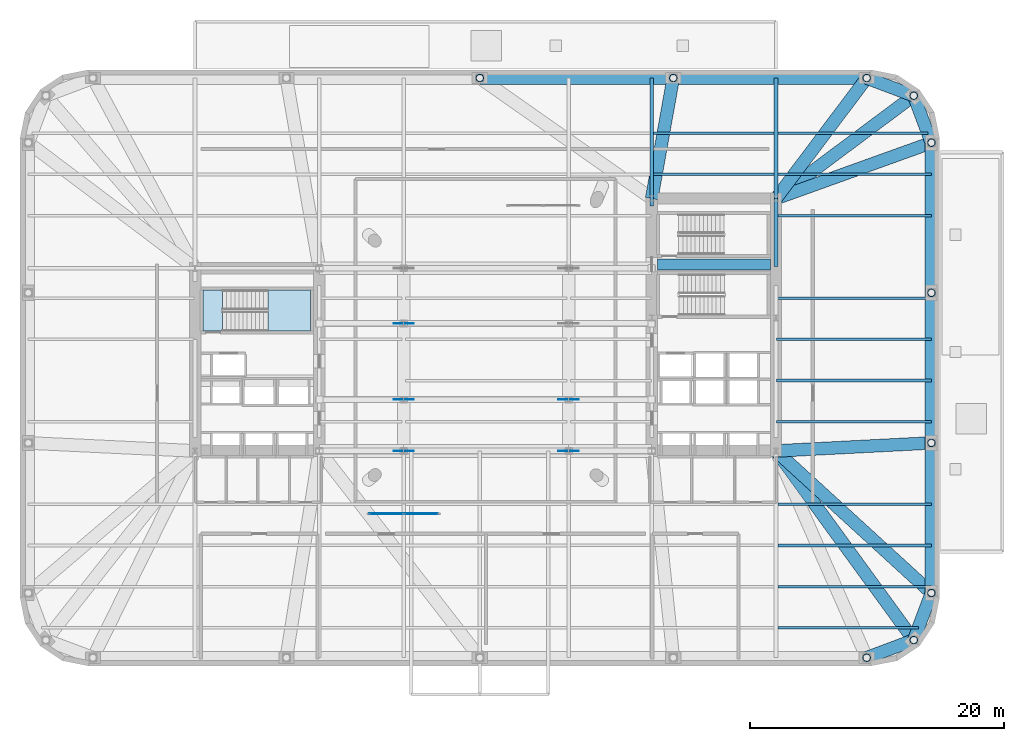
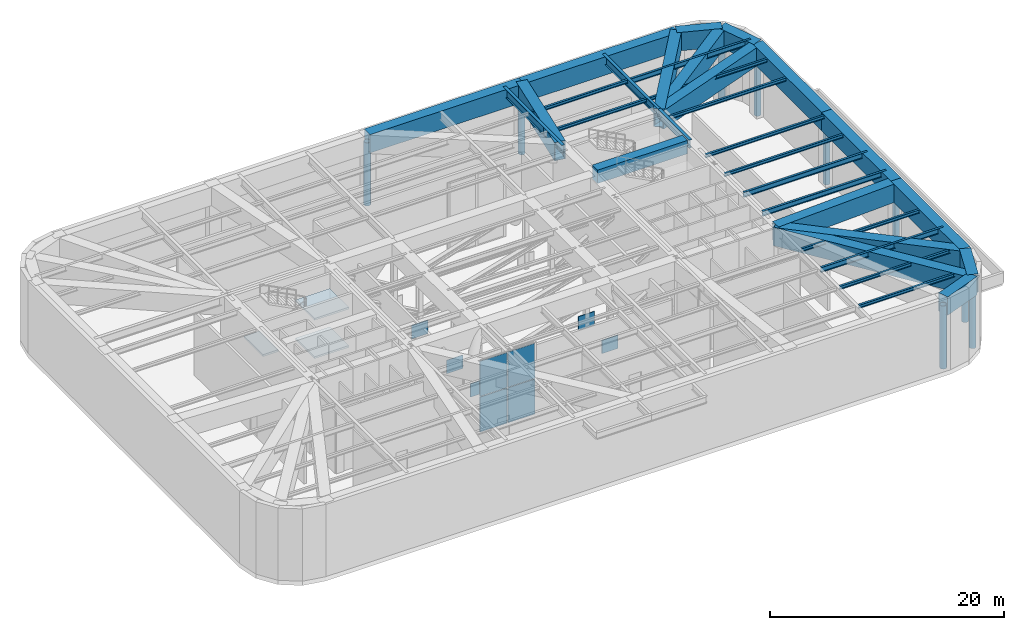
# One storey, part 6 of 15: 33 beams, 10 members, 9 plates, 3 slabs, 2 elements without a shape of their own.
"""IFC4 building model written with IfcOpenShell, lengths in metres."""

from ifc_helpers import new_model, si_unit, direction, frame, origin, origin_2d, place, context, subcontext, project, spatial, polyline, rectangle, hollow_rectangle, hollow_circle, i_section, outline, extrude, material, layer, layer_set, material_profile, profile_set, type_object, element, aggregate, save


model = new_model("IFC4")

# Units and contexts
model_context = context("Model", 3, precision=1e-05, world=origin(), true_north=direction((0.0, 1.0)))
body_context = subcontext(model_context, "Body", "Model", "MODEL_VIEW")
ifc_project = project(units=[si_unit("LENGTHUNIT", "METRE"), si_unit("AREAUNIT", "SQUARE_METRE"), si_unit("VOLUMEUNIT", "CUBIC_METRE"), si_unit("PLANEANGLEUNIT", "RADIAN"), si_unit("MASSUNIT", "GRAM", prefix="KILO")], contexts=[model_context])

# Site, building, storey
site_placement = place(None, origin())
site = spatial("IfcSite", under=ifc_project, at=site_placement, CompositionType="ELEMENT")
building_placement = place(site_placement, origin())
building = spatial("IfcBuilding", under=site, at=building_placement, Name="Kolvaren Arena Tower", CompositionType="ELEMENT")
storey_placement = place(building_placement, frame((0.0, 0.0, 34.0)))
storey = spatial("IfcBuildingStorey", under=building, at=storey_placement, Name="L06", CompositionType="ELEMENT", Elevation=34.0)

# Beams
ifc_material_1 = material(Name="Steel CSA G40.21 350W", Category="steel")
ifc_material_profile_1 = material_profile(ifc_material_1, i_section(OverallWidth=0.2119140625, OverallDepth=0.54296875, WebThickness=0.01318359375, FlangeThickness=0.0244140625, FilletRadius=0.013916015625, at=origin_2d()), Name="W530x150")
ifc_profile_set_1 = profile_set([ifc_material_profile_1], Name="Steel CSA G40.21 350W")
beam_type_1 = type_object("IfcBeamType", Name="BEAM-F1", PredefinedType="BEAM", material=ifc_profile_set_1)
beam_1_placement = place(storey_placement, frame((60.49609375, 12.0, 7.278564453125), z_axis=(1.0, 0.0, 0.0), x_axis=(0.0, 1.0, 0.0)))
element("IfcBeam", 1, at=beam_1_placement, inside=storey, type_object=beam_type_1, Name="Composite Floor Beam (L06)", PredefinedType="BEAM", context=body_context, shape_type="SweptSolid", body=[
    extrude(i_section(OverallWidth=0.2119140625, OverallDepth=0.54296875, WebThickness=0.01318359375, FlangeThickness=0.0244140625, FilletRadius=0.013916015625, at=origin_2d()), origin(), (0.0, 0.0, 1.0), 12.10400390625),
])
for number, where, z_axis, x_axis, name in (
    (2, (60.3701171875, 21.75, 7.278564453125), (1.0, 0.0, 0.0), (0.0, 1.0, 0.0), "Composite Floor Beam (L06)"),
    (3, (60.3701171875, 25.0, 7.278564453125), (1.0, 0.0, 0.0), (0.0, 1.0, 0.0), "Composite Floor Beam (L06)"),
):
    element("IfcBeam", number, at=place(storey_placement, frame(where, z_axis=z_axis, x_axis=x_axis)), inside=storey, type_object=beam_type_1, Name=name, PredefinedType="BEAM", context=body_context, shape_type="SweptSolid", body=[
        extrude(i_section(OverallWidth=0.2119140625, OverallDepth=0.54296875, WebThickness=0.01318359375, FlangeThickness=0.0244140625, FilletRadius=0.013916015625, at=origin_2d()), origin(), (0.0, 0.0, 1.0), 12.22998046875),
    ])
beam_2_placement = place(storey_placement, frame((60.49609375, 44.5, 7.278564453125), z_axis=(1.0, 0.0, 0.0), x_axis=(0.0, 1.0, 0.0)))
element("IfcBeam", 4, at=beam_2_placement, inside=storey, type_object=beam_type_1, Name="Composite Floor Beam (L06)", PredefinedType="BEAM", context=body_context, shape_type="SweptSolid", body=[
    extrude(i_section(OverallWidth=0.2119140625, OverallDepth=0.54296875, WebThickness=0.01318359375, FlangeThickness=0.0244140625, FilletRadius=0.013916015625, at=origin_2d()), origin(), (0.0, 0.0, 1.0), 11.822509765625),
])
ifc_material_2 = material(Name="Concrete 75 MPa", Category="concrete")
ifc_material_profile_2 = material_profile(ifc_material_2, rectangle(XDim=0.89990234375, YDim=1.39990234375, at=origin_2d()), Name="RC-900x1400")
ifc_profile_set_2 = profile_set([ifc_material_profile_2], Name="Concrete 75 MPa")
beam_type_2 = type_object("IfcBeamType", Name="CB-CORE-1", PredefinedType="BEAM", material=ifc_profile_set_2)
beam_3_placement = place(storey_placement, frame((51.0, 34.14990234375, 7.1201171875), z_axis=(1.0, 0.0, 0.0), x_axis=(0.0, 1.0, 0.0)))
element("IfcBeam", 5, at=beam_3_placement, inside=storey, type_object=beam_type_2, Name="East Core Coupling Beam (L06)", PredefinedType="BEAM", context=body_context, shape_type="SweptSolid", body=[
    extrude(rectangle(XDim=0.89990234375, YDim=1.39990234375, at=origin_2d()), origin(), (0.0, 0.0, 1.0), 8.89990234375),
])

# Members
ifc_material_3 = material(Name="Steel CSA G40.21 350WT", Category="steel")
ifc_material_profile_3 = material_profile(ifc_material_3, hollow_circle(Radius=0.304931640625, WallThickness=0.028076171875, at=origin_2d()), Name="CHS 610x28")
ifc_profile_set_3 = profile_set([ifc_material_profile_3], Name="Steel CSA G40.21 350WT")
member_type = type_object("IfcMemberType", Name="EXO-STRUT1", PredefinedType="STRUT", material=ifc_profile_set_3)
for number, where, z_axis, x_axis, name in (
    (6, (67.5, 3.14990234375, 0.0), (0.0, 0.0, 1.0), (1.0, 0.0, 0.0), "B1 Transfer Exoskeleton Strut 05"),
    (7, (71.208740234375, 4.541259765625, 0.0), (0.0, 0.0, 1.0), (1.0, 0.0, 0.0), "B1 Transfer Exoskeleton Strut 06"),
    (8, (72.60009765625, 8.25, 0.0), (0.0, 0.0, 1.0), (1.0, 0.0, 0.0), "B1 Transfer Exoskeleton Strut 07"),
    (9, (72.60009765625, 20.083251953125, 0.0), (0.0, 0.0, 1.0), (1.0, 0.0, 0.0), "B1 Transfer Exoskeleton Strut 08"),
    (10, (72.60009765625, 31.916748046875, 0.0), (0.0, 0.0, 1.0), (1.0, 0.0, 0.0), "B1 Transfer Exoskeleton Strut 09"),
    (11, (72.60009765625, 43.75, 0.0), (0.0, 0.0, 1.0), (1.0, 0.0, 0.0), "B1 Transfer Exoskeleton Strut 10"),
    (12, (71.208740234375, 47.458740234375, 0.0), (0.0, 0.0, 1.0), (1.0, 0.0, 0.0), "B1 Transfer Exoskeleton Strut 11"),
    (13, (67.5, 48.85009765625, 0.0), (0.0, 0.0, 1.0), (1.0, 0.0, 0.0), "B1 Transfer Exoskeleton Strut 12"),
    (14, (52.25, 48.85009765625, 0.0), (0.0, 0.0, 1.0), (1.0, 0.0, 0.0), "B1 Transfer Exoskeleton Strut 13"),
    (15, (37.0, 48.85009765625, 0.0), (0.0, 0.0, 1.0), (1.0, 0.0, 0.0), "B1 Transfer Exoskeleton Strut 14"),
):
    element("IfcMember", number, at=place(storey_placement, frame(where, z_axis=z_axis, x_axis=x_axis)), inside=storey, type_object=member_type, Name=name, PredefinedType="STRUT", context=body_context, shape_type="SweptSolid", body=[
        extrude(hollow_circle(Radius=0.304931640625, WallThickness=0.028076171875, at=origin_2d()), origin(), (0.0, 0.0, 1.0), 6.590087890625),
    ])

# Beams
ifc_material_profile_4 = material_profile(ifc_material_1, i_section(OverallWidth=0.2919921875, OverallDepth=0.85498046875, WebThickness=0.02099609375, FlangeThickness=0.03564453125, FilletRadius=0.01806640625, at=origin_2d()), Name="W840x299")
ifc_profile_set_4 = profile_set([ifc_material_profile_4], Name="Steel CSA G40.21 350W")
beam_type_3 = type_object("IfcBeamType", Name="GIRD-P1", PredefinedType="BEAM", material=ifc_profile_set_4)
beam_4_placement = place(storey_placement, frame((50.550048828125, 38.760009765625, 7.12255859375), z_axis=(0.0, 1.0, 0.0), x_axis=(-1.0, 0.0, 0.0)))
element("IfcBeam", 16, at=beam_4_placement, inside=storey, type_object=beam_type_3, Name="Primary Floor Girder (L06)", PredefinedType="BEAM", context=body_context, shape_type="SweptSolid", body=[
    extrude(i_section(OverallWidth=0.2919921875, OverallDepth=0.85498046875, WebThickness=0.02099609375, FlangeThickness=0.03564453125, FilletRadius=0.01806640625, at=origin_2d()), origin(), (0.0, 0.0, 1.0), 10.090087890625),
])
beam_5_placement = place(storey_placement, frame((60.35009765625, 33.99609375, 7.12255859375), z_axis=(0.0, 1.0, 0.0), x_axis=(-1.0, 0.0, 0.0)))
element("IfcBeam", 17, at=beam_5_placement, inside=storey, type_object=beam_type_3, Name="Primary Floor Girder (L06)", PredefinedType="BEAM", context=body_context, shape_type="SweptSolid", body=[
    extrude(i_section(OverallWidth=0.2919921875, OverallDepth=0.85498046875, WebThickness=0.02099609375, FlangeThickness=0.03564453125, FilletRadius=0.01806640625, at=origin_2d()), origin(), (0.0, 0.0, 1.0), 5.35400390625),
])
beam_6_placement = place(storey_placement, frame((60.35009765625, 39.35009765625, 7.12255859375), z_axis=(0.0, 1.0, 0.0), x_axis=(-1.0, 0.0, 0.0)))
element("IfcBeam", 18, at=beam_6_placement, inside=storey, type_object=beam_type_3, Name="Primary Floor Girder (L06)", PredefinedType="BEAM", context=body_context, shape_type="SweptSolid", body=[
    extrude(i_section(OverallWidth=0.2919921875, OverallDepth=0.85498046875, WebThickness=0.02099609375, FlangeThickness=0.03564453125, FilletRadius=0.01806640625, at=origin_2d()), origin(), (0.0, 0.0, 1.0), 9.5),
])
ifc_material_profile_5 = material_profile(ifc_material_1, i_section(OverallWidth=0.202880859375, OverallDepth=0.346923828125, WebThickness=0.0078125, FlangeThickness=0.013427734375, FilletRadius=0.010986328125, at=origin_2d()), Name="W360x64")
ifc_profile_set_5 = profile_set([ifc_material_profile_5], Name="Steel CSA G40.21 350W")
beam_type_4 = type_object("IfcBeamType", Name="JOIST-01", PredefinedType="JOIST", material=ifc_profile_set_5)
beam_7_placement = place(storey_placement, frame((60.49609375, 5.5, 7.37646484375), z_axis=(1.0, 0.0, 0.0), x_axis=(0.0, 1.0, 0.0)))
element("IfcBeam", 19, at=beam_7_placement, inside=storey, type_object=beam_type_4, Name="Composite Floor Joist (L06)", PredefinedType="JOIST", context=body_context, shape_type="SweptSolid", body=[
    extrude(i_section(OverallWidth=0.202880859375, OverallDepth=0.346923828125, WebThickness=0.0078125, FlangeThickness=0.013427734375, FilletRadius=0.010986328125, at=origin_2d()), origin(), (0.0, 0.0, 1.0), 11.072509765625),
])
for number, where, z_axis, x_axis, name in (
    (20, (60.49609375, 8.75, 7.37646484375), (1.0, 0.0, 0.0), (0.0, 1.0, 0.0), "Composite Floor Joist (L06)"),
    (21, (60.49609375, 15.25, 7.37646484375), (1.0, 0.0, 0.0), (0.0, 1.0, 0.0), "Composite Floor Joist (L06)"),
):
    element("IfcBeam", number, at=place(storey_placement, frame(where, z_axis=z_axis, x_axis=x_axis)), inside=storey, type_object=beam_type_4, Name=name, PredefinedType="JOIST", context=body_context, shape_type="SweptSolid", body=[
        extrude(i_section(OverallWidth=0.202880859375, OverallDepth=0.346923828125, WebThickness=0.0078125, FlangeThickness=0.013427734375, FilletRadius=0.010986328125, at=origin_2d()), origin(), (0.0, 0.0, 1.0), 12.10400390625),
    ])
for number, where, z_axis, x_axis, name in (
    (22, (60.3701171875, 28.25, 7.37646484375), (1.0, 0.0, 0.0), (0.0, 1.0, 0.0), "Composite Floor Joist (L06)"),
    (23, (60.3701171875, 31.5, 7.37646484375), (1.0, 0.0, 0.0), (0.0, 1.0, 0.0), "Composite Floor Joist (L06)"),
    (24, (60.3701171875, 38.0, 7.37646484375), (1.0, 0.0, 0.0), (0.0, 1.0, 0.0), "Composite Floor Joist (L06)"),
):
    element("IfcBeam", number, at=place(storey_placement, frame(where, z_axis=z_axis, x_axis=x_axis)), inside=storey, type_object=beam_type_4, Name=name, PredefinedType="JOIST", context=body_context, shape_type="SweptSolid", body=[
        extrude(i_section(OverallWidth=0.202880859375, OverallDepth=0.346923828125, WebThickness=0.0078125, FlangeThickness=0.013427734375, FilletRadius=0.010986328125, at=origin_2d()), origin(), (0.0, 0.0, 1.0), 12.22998046875),
    ])
beam_8_placement = place(storey_placement, frame((50.696044921875, 41.25, 7.37646484375), z_axis=(1.0, 0.0, 0.0), x_axis=(0.0, 1.0, 0.0)))
element("IfcBeam", 25, at=beam_8_placement, inside=storey, type_object=beam_type_4, Name="Composite Floor Joist (L06)", PredefinedType="JOIST", context=body_context, shape_type="SweptSolid", body=[
    extrude(i_section(OverallWidth=0.202880859375, OverallDepth=0.346923828125, WebThickness=0.0078125, FlangeThickness=0.013427734375, FilletRadius=0.010986328125, at=origin_2d()), origin(), (0.0, 0.0, 1.0), 9.508056640625),
])
beam_9_placement = place(storey_placement, frame((60.49609375, 41.25, 7.37646484375), z_axis=(1.0, 0.0, 0.0), x_axis=(0.0, 1.0, 0.0)))
element("IfcBeam", 26, at=beam_9_placement, inside=storey, type_object=beam_type_4, Name="Composite Floor Joist (L06)", PredefinedType="JOIST", context=body_context, shape_type="SweptSolid", body=[
    extrude(i_section(OverallWidth=0.202880859375, OverallDepth=0.346923828125, WebThickness=0.0078125, FlangeThickness=0.013427734375, FilletRadius=0.010986328125, at=origin_2d()), origin(), (0.0, 0.0, 1.0), 12.10400390625),
])
beam_10_placement = place(storey_placement, frame((50.696044921875, 44.5, 7.37646484375), z_axis=(1.0, 0.0, 0.0), x_axis=(0.0, 1.0, 0.0)))
element("IfcBeam", 27, at=beam_10_placement, inside=storey, type_object=beam_type_4, Name="Composite Floor Joist (L06)", PredefinedType="JOIST", context=body_context, shape_type="SweptSolid", body=[
    extrude(i_section(OverallWidth=0.202880859375, OverallDepth=0.346923828125, WebThickness=0.0078125, FlangeThickness=0.013427734375, FilletRadius=0.010986328125, at=origin_2d()), origin(), (0.0, 0.0, 1.0), 9.508056640625),
])
ifc_material_profile_6 = material_profile(ifc_material_3, hollow_rectangle(XDim=1.0, YDim=1.919921875, WallThickness=0.044921875, at=origin_2d()), Name="BOX 1000x1920x45")
ifc_profile_set_6 = profile_set([ifc_material_profile_6], Name="Steel CSA G40.21 350WT")
beam_type_5 = type_object("IfcBeamType", Name="TG-MEGA", PredefinedType="USERDEFINED", material=ifc_profile_set_6)
for number, where, z_axis, x_axis, name in (
    (28, (67.5, 3.14990234375, 6.590087890625), (0.93628104365, 0.351251771955, 0.0), (-0.351251771955, 0.93628104365, 0.0), "B1 Perimeter Transfer Ring Girder 05"),
    (29, (71.208740234375, 4.541259765625, 6.590087890625), (0.351251771955, 0.93628104365, 0.0), (-0.93628104365, 0.351251771955, 0.0), "B1 Perimeter Transfer Ring Girder 06"),
):
    element("IfcBeam", number, at=place(storey_placement, frame(where, z_axis=z_axis, x_axis=x_axis)), inside=storey, type_object=beam_type_5, Name=name, ObjectType="TRANSFER GIRDER", PredefinedType="USERDEFINED", context=body_context, shape_type="SweptSolid", body=[
        extrude(hollow_rectangle(XDim=1.0, YDim=1.919921875, WallThickness=0.044921875, at=origin_2d()), origin(), (0.0, 0.0, 1.0), 3.961181640625),
    ])
beam_11_placement = place(storey_placement, frame((71.208740234375, 4.541259765625, 6.590087890625), z_axis=(-0.588737448901, 0.80832432616, 0.0), x_axis=(-0.80832432616, -0.588737448901, 0.0)))
element("IfcBeam", 30, at=beam_11_placement, inside=storey, type_object=beam_type_5, Name="B1 Cantilever Radial Transfer Girder 06", ObjectType="TRANSFER GIRDER", PredefinedType="USERDEFINED", context=body_context, shape_type="SweptSolid", body=[
    extrude(hollow_rectangle(XDim=1.0, YDim=1.919921875, WallThickness=0.044921875, at=origin_2d()), origin(), (0.0, 0.0, 1.0), 18.44384765625),
])
beam_12_placement = place(storey_placement, frame((72.60009765625, 8.25, 6.590087890625), z_axis=(0.0, 1.0, 0.0), x_axis=(-1.0, 0.0, 0.0)))
element("IfcBeam", 31, at=beam_12_placement, inside=storey, type_object=beam_type_5, Name="B1 Perimeter Transfer Ring Girder 07", ObjectType="TRANSFER GIRDER", PredefinedType="USERDEFINED", context=body_context, shape_type="SweptSolid", body=[
    extrude(hollow_rectangle(XDim=1.0, YDim=1.919921875, WallThickness=0.044921875, at=origin_2d()), origin(), (0.0, 0.0, 1.0), 11.833251953125),
])
beam_13_placement = place(storey_placement, frame((72.60009765625, 8.25, 6.590087890625), z_axis=(-0.738030276997, 0.674767597203, 0.0), x_axis=(-0.674767597203, -0.738030276997, 0.0)))
element("IfcBeam", 32, at=beam_13_placement, inside=storey, type_object=beam_type_5, Name="B1 Cantilever Radial Transfer Girder 07", ObjectType="TRANSFER GIRDER", PredefinedType="USERDEFINED", context=body_context, shape_type="SweptSolid", body=[
    extrude(hollow_rectangle(XDim=1.0, YDim=1.919921875, WallThickness=0.044921875, at=origin_2d()), origin(), (0.0, 0.0, 1.0), 16.59814453125),
])
beam_14_placement = place(storey_placement, frame((72.60009765625, 20.083251953125, 6.590087890625), z_axis=(0.0, 1.0, 0.0), x_axis=(-1.0, 0.0, 0.0)))
element("IfcBeam", 33, at=beam_14_placement, inside=storey, type_object=beam_type_5, Name="B1 Perimeter Transfer Ring Girder 08", ObjectType="TRANSFER GIRDER", PredefinedType="USERDEFINED", context=body_context, shape_type="SweptSolid", body=[
    extrude(hollow_rectangle(XDim=1.0, YDim=1.919921875, WallThickness=0.044921875, at=origin_2d()), origin(), (0.0, 0.0, 1.0), 11.83349609375),
])
beam_15_placement = place(storey_placement, frame((72.60009765625, 20.083251953125, 6.590087890625), z_axis=(-0.998666329977, -0.051629074856, 0.0), x_axis=(0.051629074856, -0.998666329977, 0.0)))
element("IfcBeam", 34, at=beam_15_placement, inside=storey, type_object=beam_type_5, Name="B1 Cantilever Radial Transfer Girder 08", ObjectType="TRANSFER GIRDER", PredefinedType="USERDEFINED", context=body_context, shape_type="SweptSolid", body=[
    extrude(hollow_rectangle(XDim=1.0, YDim=1.919921875, WallThickness=0.044921875, at=origin_2d()), origin(), (0.0, 0.0, 1.0), 12.266357421875),
])
beam_16_placement = place(storey_placement, frame((72.60009765625, 31.916748046875, 6.590087890625), z_axis=(0.0, 1.0, 0.0), x_axis=(-1.0, 0.0, 0.0)))
element("IfcBeam", 35, at=beam_16_placement, inside=storey, type_object=beam_type_5, Name="B1 Perimeter Transfer Ring Girder 09", ObjectType="TRANSFER GIRDER", PredefinedType="USERDEFINED", context=body_context, shape_type="SweptSolid", body=[
    extrude(hollow_rectangle(XDim=1.0, YDim=1.919921875, WallThickness=0.044921875, at=origin_2d()), origin(), (0.0, 0.0, 1.0), 11.833251953125),
])
beam_17_placement = place(storey_placement, frame((72.60009765625, 43.75, 6.590087890625), z_axis=(-0.351251771955, 0.93628104365, 0.0), x_axis=(-0.93628104365, -0.351251771955, 0.0)))
element("IfcBeam", 36, at=beam_17_placement, inside=storey, type_object=beam_type_5, Name="B1 Perimeter Transfer Ring Girder 10", ObjectType="TRANSFER GIRDER", PredefinedType="USERDEFINED", context=body_context, shape_type="SweptSolid", body=[
    extrude(hollow_rectangle(XDim=1.0, YDim=1.919921875, WallThickness=0.044921875, at=origin_2d()), origin(), (0.0, 0.0, 1.0), 3.961181640625),
])
beam_18_placement = place(storey_placement, frame((72.60009765625, 43.75, 6.590087890625), z_axis=(-0.941134398506, -0.338032607818, 0.0), x_axis=(0.338032607818, -0.941134398506, 0.0)))
element("IfcBeam", 37, at=beam_18_placement, inside=storey, type_object=beam_type_5, Name="B1 Cantilever Radial Transfer Girder 10", ObjectType="TRANSFER GIRDER", PredefinedType="USERDEFINED", context=body_context, shape_type="SweptSolid", body=[
    extrude(hollow_rectangle(XDim=1.0, YDim=1.919921875, WallThickness=0.044921875, at=origin_2d()), origin(), (0.0, 0.0, 1.0), 13.01611328125),
])
beam_19_placement = place(storey_placement, frame((71.208740234375, 47.458740234375, 6.590087890625), z_axis=(-0.93628104365, 0.351251771955, 0.0), x_axis=(-0.351251771955, -0.93628104365, 0.0)))
element("IfcBeam", 38, at=beam_19_placement, inside=storey, type_object=beam_type_5, Name="B1 Perimeter Transfer Ring Girder 11", ObjectType="TRANSFER GIRDER", PredefinedType="USERDEFINED", context=body_context, shape_type="SweptSolid", body=[
    extrude(hollow_rectangle(XDim=1.0, YDim=1.919921875, WallThickness=0.044921875, at=origin_2d()), origin(), (0.0, 0.0, 1.0), 3.961181640625),
])
beam_20_placement = place(storey_placement, frame((71.208740234375, 47.458740234375, 6.590087890625), z_axis=(-0.801249936397, -0.598329791523, 0.0), x_axis=(0.598329791523, -0.801249936397, 0.0)))
element("IfcBeam", 39, at=beam_20_placement, inside=storey, type_object=beam_type_5, Name="B1 Cantilever Radial Transfer Girder 11", ObjectType="TRANSFER GIRDER", PredefinedType="USERDEFINED", context=body_context, shape_type="SweptSolid", body=[
    extrude(hollow_rectangle(XDim=1.0, YDim=1.919921875, WallThickness=0.044921875, at=origin_2d()), origin(), (0.0, 0.0, 1.0), 13.55224609375),
])
beam_21_placement = place(storey_placement, frame((67.5, 48.85009765625, 6.590087890625), z_axis=(-1.0, 0.0, 0.0), x_axis=(0.0, -1.0, 0.0)))
element("IfcBeam", 40, at=beam_21_placement, inside=storey, type_object=beam_type_5, Name="B1 Perimeter Transfer Ring Girder 12", ObjectType="TRANSFER GIRDER", PredefinedType="USERDEFINED", context=body_context, shape_type="SweptSolid", body=[
    extrude(hollow_rectangle(XDim=1.0, YDim=1.919921875, WallThickness=0.044921875, at=origin_2d()), origin(), (0.0, 0.0, 1.0), 15.25),
])
beam_22_placement = place(storey_placement, frame((67.5, 48.85009765625, 6.590087890625), z_axis=(-0.601339574623, -0.798993564425, 0.0), x_axis=(0.798993564425, -0.601339574623, 0.0)))
element("IfcBeam", 41, at=beam_22_placement, inside=storey, type_object=beam_type_5, Name="B1 Cantilever Radial Transfer Girder 12", ObjectType="TRANSFER GIRDER", PredefinedType="USERDEFINED", context=body_context, shape_type="SweptSolid", body=[
    extrude(hollow_rectangle(XDim=1.0, YDim=1.919921875, WallThickness=0.044921875, at=origin_2d()), origin(), (0.0, 0.0, 1.0), 11.889892578125),
])
beam_23_placement = place(storey_placement, frame((52.25, 48.85009765625, 6.590087890625), z_axis=(-1.0, 0.0, 0.0), x_axis=(0.0, -1.0, 0.0)))
element("IfcBeam", 42, at=beam_23_placement, inside=storey, type_object=beam_type_5, Name="B1 Perimeter Transfer Ring Girder 13", ObjectType="TRANSFER GIRDER", PredefinedType="USERDEFINED", context=body_context, shape_type="SweptSolid", body=[
    extrude(hollow_rectangle(XDim=1.0, YDim=1.919921875, WallThickness=0.044921875, at=origin_2d()), origin(), (0.0, 0.0, 1.0), 15.25),
])
beam_24_placement = place(storey_placement, frame((52.25, 48.85009765625, 6.590087890625), z_axis=(-0.176144350052, -0.984364347152, 0.0), x_axis=(0.984364347152, -0.176144350052, 0.0)))
element("IfcBeam", 43, at=beam_24_placement, inside=storey, type_object=beam_type_5, Name="B1 Cantilever Radial Transfer Girder 13", ObjectType="TRANSFER GIRDER", PredefinedType="USERDEFINED", context=body_context, shape_type="SweptSolid", body=[
    extrude(hollow_rectangle(XDim=1.0, YDim=1.919921875, WallThickness=0.044921875, at=origin_2d()), origin(), (0.0, 0.0, 1.0), 9.65087890625),
])

# Curtain wall, plates
ifc_material_4 = material(Name="Anodised aluminium unitised curtain wall", Category="aluminium")
curtain_wall_type = type_object("IfcCurtainWallType", Name="CW-SYS-05", PredefinedType="USERDEFINED", material=ifc_material_4)
curtain_wall_placement = place(storey_placement, origin())
curtain_wall = element("IfcCurtainWall", 44, at=curtain_wall_placement, inside=storey, type_object=curtain_wall_type, Name="Mechanical Plant Louvre Curtain Wall (L06)", ObjectType="ACOUSTIC LOUVRE SCREEN", PredefinedType="USERDEFINED")
ifc_material_5 = material(Name="Storm-proof anodised aluminium louvre panel", Category="aluminium")
ifc_layer_1 = layer(ifc_material_5, 0.074951171875)
ifc_layer_set_1 = layer_set([ifc_layer_1], Name="Storm-proof anodised aluminium louvre panel")
plate_type_1 = type_object("IfcPlateType", Name="CWP-LVR1", PredefinedType="CURTAIN_PANEL", material=ifc_layer_set_1)
plate_1_placement = place(storey_placement, frame((29.625, 14.5, 0.080078125), z_axis=(0.0, 0.0, 1.0), x_axis=(1.0, 0.0, 0.0)))
plate_1 = element("IfcPlate", 45, at=plate_1_placement, type_object=plate_type_1, Name="CW5 panel 1.1", PredefinedType="CURTAIN_PANEL", context=body_context, shape_type="SweptSolid", body=[
    extrude(rectangle(XDim=2.64990234375, YDim=0.074951171875, at=origin_2d()), origin(), (0.0, 0.0, 1.0), 3.655029296875),
])
plate_2_placement = place(storey_placement, frame((29.625, 14.5, 3.81494140625), z_axis=(0.0, 0.0, 1.0), x_axis=(1.0, 0.0, 0.0)))
plate_2 = element("IfcPlate", 46, at=plate_2_placement, type_object=plate_type_1, Name="CW5 panel 1.2", PredefinedType="CURTAIN_PANEL", context=body_context, shape_type="SweptSolid", body=[
    extrude(rectangle(XDim=2.64990234375, YDim=0.074951171875, at=origin_2d()), origin(), (0.0, 0.0, 1.0), 3.655029296875),
])
plate_3_placement = place(storey_placement, frame((32.375, 14.5, 0.080078125), z_axis=(0.0, 0.0, 1.0), x_axis=(1.0, 0.0, 0.0)))
plate_3 = element("IfcPlate", 47, at=plate_3_placement, type_object=plate_type_1, Name="CW5 panel 2.1", PredefinedType="CURTAIN_PANEL", context=body_context, shape_type="SweptSolid", body=[
    extrude(rectangle(XDim=2.64990234375, YDim=0.074951171875, at=origin_2d()), origin(), (0.0, 0.0, 1.0), 3.655029296875),
])
plate_4_placement = place(storey_placement, frame((32.375, 14.5, 3.81494140625), z_axis=(0.0, 0.0, 1.0), x_axis=(1.0, 0.0, 0.0)))
plate_4 = element("IfcPlate", 48, at=plate_4_placement, type_object=plate_type_1, Name="CW5 panel 2.2", PredefinedType="CURTAIN_PANEL", context=body_context, shape_type="SweptSolid", body=[
    extrude(rectangle(XDim=2.64990234375, YDim=0.074951171875, at=origin_2d()), origin(), (0.0, 0.0, 1.0), 3.655029296875),
])
aggregate(curtain_wall, [plate_1, plate_2, plate_3, plate_4])

# Plates
ifc_layer_2 = layer(ifc_material_3, 0.06005859375)
ifc_layer_set_2 = layer_set([ifc_layer_2], Name="Steel CSA G40.21 350WT")
plate_type_2 = type_object("IfcPlateType", Name="PLT-GUS-M1", PredefinedType="USERDEFINED", material=ifc_layer_set_2)
for number, where, z_axis, x_axis, name in (
    (49, (31.0, 19.449951171875, 0.050048828125), (0.0, 0.0, 1.0), (1.0, 0.0, 0.0), "Mega-Transfer Truss 1 Node Gusset Plate"),
    (50, (44.0, 19.449951171875, 0.050048828125), (0.0, 0.0, 1.0), (1.0, 0.0, 0.0), "Mega-Transfer Truss 1 Node Gusset Plate"),
    (51, (31.0, 23.5, 0.050048828125), (0.0, 0.0, 1.0), (1.0, 0.0, 0.0), "Mega-Transfer Truss 2 Node Gusset Plate"),
    (52, (44.0, 23.5, 0.050048828125), (0.0, 0.0, 1.0), (1.0, 0.0, 0.0), "Mega-Transfer Truss 2 Node Gusset Plate"),
    (53, (31.0, 29.5, 0.050048828125), (0.0, 0.0, 1.0), (1.0, 0.0, 0.0), "Mega-Transfer Truss 3 Node Gusset Plate"),
):
    element("IfcPlate", number, at=place(storey_placement, frame(where, z_axis=z_axis, x_axis=x_axis)), inside=storey, type_object=plate_type_2, Name=name, ObjectType="GUSSET PLATE", PredefinedType="USERDEFINED", context=body_context, shape_type="SweptSolid", body=[
        extrude(rectangle(XDim=1.60009765625, YDim=0.06005859375, at=origin_2d()), origin(), (0.0, 0.0, 1.0), 1.39990234375),
    ])

# Stair, slabs
ifc_material_6 = material(Name="Concrete 45 MPa", Category="concrete")
stair_type = type_object("IfcStairType", Name="STAIR-CORE-165", PredefinedType="HALF_TURN_STAIR", material=ifc_material_6)
stair_placement = place(storey_placement, origin())
stair = element("IfcStair", 54, at=stair_placement, inside=storey, type_object=stair_type, Name="L06 ST-W1", PredefinedType="HALF_TURN_STAIR")
ifc_layer_3 = layer(ifc_material_6, 0.199951171875)
ifc_layer_set_3 = layer_set([ifc_layer_3], Name="Concrete 45 MPa")
slab_type = type_object("IfcSlabType", Name="SLAB-LAND", PredefinedType="LANDING", material=ifc_layer_set_3)
slab_1_placement = place(storey_placement, frame((0.0, 0.0, 1.800048828125)))
slab_1 = element("IfcSlab", 55, at=slab_1_placement, type_object=slab_type, Name="ST-W1 landing 1", PredefinedType="LANDING", context=body_context, shape_type="SweptSolid", body=[
    extrude(outline(polyline([(20.283935546875, 28.89990234375), (23.659912109375, 28.89990234375), (23.659912109375, 32.1298828125), (20.283935546875, 32.1298828125), (20.283935546875, 28.89990234375)])), origin(), (0.0, 0.0, 1.0), 0.199951171875),
])
slab_2_placement = place(storey_placement, frame((0.0, 0.0, 3.800048828125)))
slab_2 = element("IfcSlab", 56, at=slab_2_placement, type_object=slab_type, Name="ST-W1 landing 2", PredefinedType="LANDING", context=body_context, shape_type="SweptSolid", body=[
    extrude(outline(polyline([(15.179931640625, 28.89990234375), (16.719970703125, 28.89990234375), (16.719970703125, 32.1298828125), (15.179931640625, 32.1298828125), (15.179931640625, 28.89990234375)])), origin(), (0.0, 0.0, 1.0), 0.199951171875),
])
slab_3_placement = place(storey_placement, frame((0.0, 0.0, 5.800048828125)))
slab_3 = element("IfcSlab", 57, at=slab_3_placement, type_object=slab_type, Name="ST-W1 landing 3", PredefinedType="LANDING", context=body_context, shape_type="SweptSolid", body=[
    extrude(outline(polyline([(20.283935546875, 28.89990234375), (23.659912109375, 28.89990234375), (23.659912109375, 32.1298828125), (20.283935546875, 32.1298828125), (20.283935546875, 28.89990234375)])), origin(), (0.0, 0.0, 1.0), 0.199951171875),
])
aggregate(stair, [slab_1, slab_2, slab_3])

save(model, "model.ifc")
